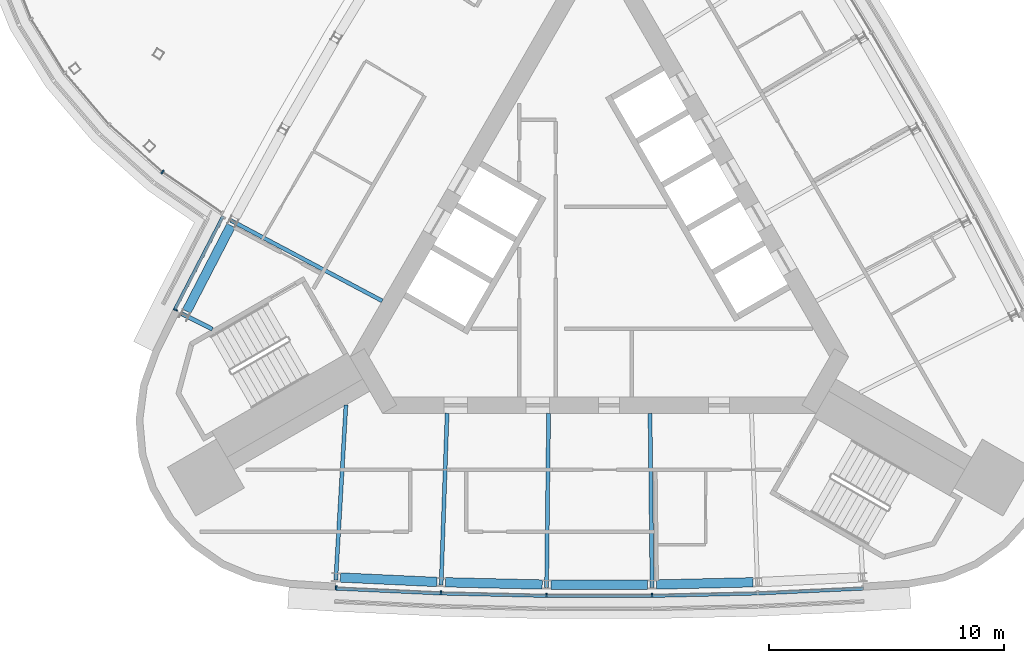
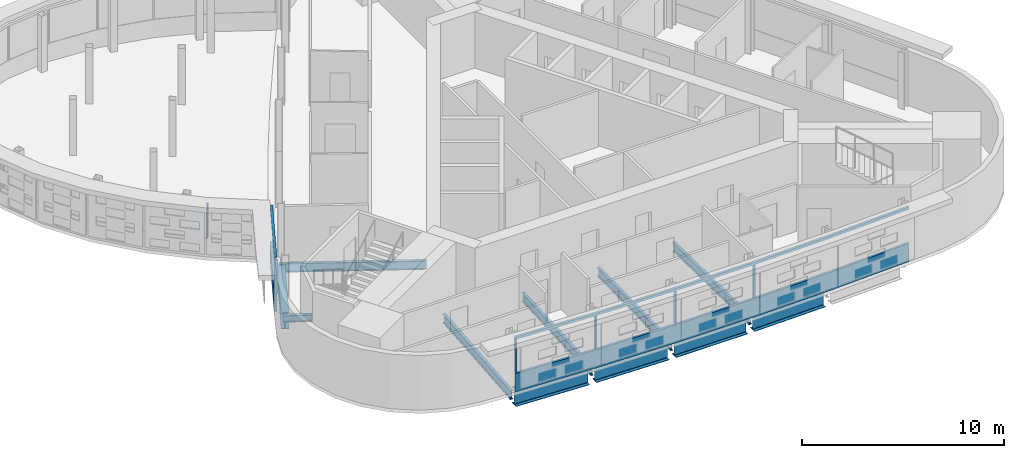
# One storey, part 4 of 13: 11 beams, 10 members, 3 elements without a shape of their own.
"""IFC4 building model written with IfcOpenShell, lengths in metres."""

from ifc_helpers import new_model, si_unit, direction, frame, origin, origin_2d, place, context, subcontext, project, spatial, polyline, rectangle, i_section, outline, extrude, material, material_profile, profile_set, type_object, element, aggregate, save


model = new_model("IFC4")

# Units and contexts
model_context = context("Model", 3, precision=1e-05, world=origin(), true_north=direction((0.0, 1.0)))
body_context = subcontext(model_context, "Body", "Model", "MODEL_VIEW")
ifc_project = project(units=[si_unit("LENGTHUNIT", "METRE"), si_unit("AREAUNIT", "SQUARE_METRE"), si_unit("VOLUMEUNIT", "CUBIC_METRE"), si_unit("PLANEANGLEUNIT", "RADIAN"), si_unit("MASSUNIT", "GRAM", prefix="KILO")], contexts=[model_context])

# Site, building, storey
site_placement = place(None, origin())
site = spatial("IfcSite", under=ifc_project, at=site_placement, CompositionType="ELEMENT")
building_placement = place(site_placement, origin())
building = spatial("IfcBuilding", under=site, at=building_placement, Name="Noor Cloister Tower", CompositionType="ELEMENT")
storey_placement = place(building_placement, frame((0.0, 0.0, 263.39990234375)))
storey = spatial("IfcBuildingStorey", under=building, at=storey_placement, Name="L67", CompositionType="ELEMENT", Elevation=263.39990234375)

# Beams
ifc_material_1 = material(Name="Steel ASTM A992 Gr 50", Category="steel")
ifc_material_profile_1 = material_profile(ifc_material_1, i_section(OverallWidth=0.40087890625, OverallDepth=0.98291015625, WebThickness=0.0166015625, FlangeThickness=0.027099609375, FilletRadius=0.030029296875, at=origin_2d()), Name="W1000x296")
ifc_profile_set_1 = profile_set([ifc_material_profile_1], Name="Steel ASTM A992 Gr 50")
beam_type_1 = type_object("IfcBeamType", Name="Belt chord girder W1000x296", PredefinedType="BEAM", material=ifc_profile_set_1)
beam_1_placement = place(storey_placement, frame((-15.677734375, 1.067138671875, -0.69140625), z_axis=(-0.459295448048, -0.888283564749, 0.0), x_axis=(0.888283564749, -0.459295448048, 0.0)))
element("IfcBeam", 1, at=beam_1_placement, inside=storey, type_object=beam_type_1, Name="Spandrel beam NW 05 L67", PredefinedType="BEAM", context=body_context, shape_type="SweptSolid", body=[
    extrude(i_section(OverallWidth=0.40087890625, OverallDepth=0.98291015625, WebThickness=0.0166015625, FlangeThickness=0.027099609375, FilletRadius=0.030029296875, at=origin_2d()), origin(), (0.0, 0.0, 1.0), 4.116455078125),
])
for number, where, z_axis, x_axis, name in (
    (2, (-11.026611328125, -13.919921875, -0.69140625), (0.998923795857, -0.046381570381, 0.0), (0.046381570381, 0.998923795857, 0.0), "Spandrel beam S 01 L67"),
    (3, (-6.5439453125, -14.123779296875, -0.69140625), (0.999731038099, -0.023191624794, 0.0), (0.023191624794, 0.999731038099, 0.0), "Spandrel beam S 02 L67"),
    (4, (-2.05810546875, -14.2236328125, -0.69140625), (1.0, 0.0, 0.0), (0.0, 1.0, 0.0), "Spandrel beam S 03 L67"),
    (5, (2.428955078125, -14.21923828125, -0.69140625), (0.999731038099, 0.023191624794, 0.0), (-0.023191624794, 0.999731038099, 0.0), "Spandrel beam S 04 L67"),
):
    element("IfcBeam", number, at=place(storey_placement, frame(where, z_axis=z_axis, x_axis=x_axis)), inside=storey, type_object=beam_type_1, Name=name, PredefinedType="BEAM", context=body_context, shape_type="SweptSolid", body=[
        extrude(i_section(OverallWidth=0.40087890625, OverallDepth=0.98291015625, WebThickness=0.0166015625, FlangeThickness=0.027099609375, FilletRadius=0.030029296875, at=origin_2d()), origin(), (0.0, 0.0, 1.0), 4.1162109375),
    ])

# Curtain wall, member
ifc_material_2 = material(Name="Aluminium 6063-T6 anodised", Category="aluminium")
curtain_wall_type_1 = type_object("IfcCurtainWallType", Name="Ribbon curtain wall, upper tower CW5", PredefinedType="NOTDEFINED", material=ifc_material_2)
curtain_wall_1_placement = place(storey_placement, origin())
curtain_wall_1 = element("IfcCurtainWall", 6, at=curtain_wall_1_placement, inside=storey, type_object=curtain_wall_type_1, Name="CW5 L67 NW run 2", PredefinedType="NOTDEFINED")
ifc_material_3 = material(Name="Aluminium 6063-T6 anodised", Category="aluminium")
member_type_1 = type_object("IfcMemberType", Name="Head transom CW5 150", PredefinedType="USERDEFINED", material=ifc_material_3)
member_1_placement = place(storey_placement, frame((0.0, 0.0, 3.150146484375)))
member_1 = element("IfcMember", 7, at=member_1_placement, type_object=member_type_1, Name="CW5 head transom", ObjectType="TRANSOM", PredefinedType="USERDEFINED", context=body_context, shape_type="SweptSolid", body=[
    extrude(outline(polyline([(-16.078125, 1.489990234375), (-18.14501953125, -2.507080078125), (-18.0205078125, -2.5712890625), (-15.953857421875, 1.42578125), (-16.078125, 1.489990234375)])), origin(), (0.0, 0.0, 1.0), 0.14990234375),
])

curtain_wall_2_placement = place(storey_placement, origin())
curtain_wall_2 = element("IfcCurtainWall", 8, at=curtain_wall_2_placement, inside=storey, type_object=curtain_wall_type_1, Name="CW5 L67 S run 3", PredefinedType="NOTDEFINED")
member_2_placement = place(storey_placement, frame((0.0, 0.0, 3.150146484375)))
member_2 = element("IfcMember", 9, at=member_2_placement, type_object=member_type_1, Name="CW5 head transom", ObjectType="TRANSOM", PredefinedType="USERDEFINED", context=body_context, shape_type="SweptSolid", body=[
    extrude(outline(polyline([(-11.24365234375, -14.46044921875), (-6.74853515625, -14.669189453125), (-2.25, -14.7734375), (2.25, -14.7734375), (6.74853515625, -14.669189453125), (11.24365234375, -14.46044921875), (11.2373046875, -14.320556640625), (6.74365234375, -14.529296875), (2.248291015625, -14.633544921875), (-2.248291015625, -14.633544921875), (-6.74365234375, -14.529296875), (-11.2373046875, -14.320556640625), (-11.24365234375, -14.46044921875)])), origin(), (0.0, 0.0, 1.0), 0.14990234375),
])

# Member
ifc_material_4 = material(Name="Aluminium 6063-T6 anodised", Category="aluminium")
ifc_material_profile_2 = material_profile(ifc_material_4, rectangle(XDim=0.179931640625, YDim=0.070068359375, at=origin_2d()), Name="180 x 70 mullion")
ifc_profile_set_2 = profile_set([ifc_material_profile_2], Name="Aluminium 6063-T6 anodised")
member_type_2 = type_object("IfcMemberType", Name="Mullion CW5 70 x 180", PredefinedType="MULLION", material=ifc_profile_set_2)
member_3_placement = place(storey_placement, frame((-18.0400390625, -2.52197265625, 1.10009765625), z_axis=(0.0, 0.0, 1.0), x_axis=(0.888277980529, -0.459306247842, 0.0)))
member_3 = element("IfcMember", 10, at=member_3_placement, type_object=member_type_2, Name="CW5 mullion 2", PredefinedType="MULLION", context=body_context, shape_type="SweptSolid", body=[
    extrude(rectangle(XDim=0.179931640625, YDim=0.070068359375, at=origin_2d()), origin(), (0.0, 0.0, 1.0), 2.050048828125),
])

member_4_placement = place(storey_placement, frame((-11.2041015625, -14.3623046875, 1.10009765625), z_axis=(0.0, 0.0, 1.0), x_axis=(0.046368111516, 0.998924420682, 0.0)))
member_4 = element("IfcMember", 11, at=member_4_placement, type_object=member_type_2, Name="CW5 mullion 1", PredefinedType="MULLION", context=body_context, shape_type="SweptSolid", body=[
    extrude(rectangle(XDim=0.179931640625, YDim=0.070068359375, at=origin_2d()), origin(), (0.0, 0.0, 1.0), 2.050048828125),
])

member_5_placement = place(storey_placement, frame((-6.7451171875, -14.569091796875, 1.10009765625), z_axis=(0.0, 0.0, 1.0), x_axis=(0.034781531747, 0.999394939476, 0.0)))
member_5 = element("IfcMember", 12, at=member_5_placement, type_object=member_type_2, Name="CW5 mullion 2", PredefinedType="MULLION", context=body_context, shape_type="SweptSolid", body=[
    extrude(rectangle(XDim=0.179931640625, YDim=0.070068359375, at=origin_2d()), origin(), (0.0, 0.0, 1.0), 2.050048828125),
])

member_6_placement = place(storey_placement, frame((-2.248779296875, -14.673583984375, 1.10009765625), z_axis=(0.0, 0.0, 1.0), x_axis=(0.011595917099, 0.999932765093, 0.0)))
member_6 = element("IfcMember", 13, at=member_6_placement, type_object=member_type_2, Name="CW5 mullion 3", PredefinedType="MULLION", context=body_context, shape_type="SweptSolid", body=[
    extrude(rectangle(XDim=0.179931640625, YDim=0.070068359375, at=origin_2d()), origin(), (0.0, 0.0, 1.0), 2.050048828125),
])

member_7_placement = place(storey_placement, frame((2.248779296875, -14.673583984375, 1.10009765625), z_axis=(0.0, 0.0, 1.0), x_axis=(-0.011595917099, 0.999932765093, 0.0)))
member_7 = element("IfcMember", 14, at=member_7_placement, type_object=member_type_2, Name="CW5 mullion 4", PredefinedType="MULLION", context=body_context, shape_type="SweptSolid", body=[
    extrude(rectangle(XDim=0.179931640625, YDim=0.070068359375, at=origin_2d()), origin(), (0.0, 0.0, 1.0), 2.050048828125),
])

# Curtain wall, member
ifc_material_5 = material(Name="Aluminium 6063-T6 anodised", Category="aluminium")
curtain_wall_type_2 = type_object("IfcCurtainWallType", Name="Sky bar curtain wall, upper bars CW6", PredefinedType="NOTDEFINED", material=ifc_material_5)
curtain_wall_3_placement = place(storey_placement, origin())
curtain_wall_3 = element("IfcCurtainWall", 15, at=curtain_wall_3_placement, inside=storey, type_object=curtain_wall_type_2, Name="CW6 L67 NW sky bar run 1", PredefinedType="NOTDEFINED")
ifc_material_6 = material(Name="Aluminium 6063-T6 anodised", Category="aluminium")
ifc_material_profile_3 = material_profile(ifc_material_6, rectangle(XDim=0.179931640625, YDim=0.070068359375, at=origin_2d()), Name="180 x 70 mullion")
ifc_profile_set_3 = profile_set([ifc_material_profile_3], Name="Aluminium 6063-T6 anodised")
member_type_3 = type_object("IfcMemberType", Name="Mullion CW6 70 x 180", PredefinedType="MULLION", material=ifc_profile_set_3)
member_8_placement = place(storey_placement, frame((-18.594482421875, 3.339111328125, 1.10009765625), z_axis=(0.0, 0.0, 1.0), x_axis=(0.616644238859, 0.787241946724, 0.0)))
member_8 = element("IfcMember", 16, at=member_8_placement, type_object=member_type_3, Name="CW6 mullion 16", PredefinedType="MULLION", context=body_context, shape_type="SweptSolid", body=[
    extrude(rectangle(XDim=0.179931640625, YDim=0.070068359375, at=origin_2d()), origin(), (0.0, 0.0, 1.0), 2.050048828125),
])
aggregate(curtain_wall_3, [member_8])

# Beams
ifc_material_7 = material(Name="Steel ASTM A992 Gr 50", Category="steel")
ifc_material_profile_4 = material_profile(ifc_material_7, i_section(OverallWidth=0.177978515625, OverallDepth=0.406005859375, WebThickness=0.0078125, FlangeThickness=0.0126953125, FilletRadius=0.01025390625, at=origin_2d()), Name="W410x60")
ifc_profile_set_4 = profile_set([ifc_material_profile_4], Name="Steel ASTM A992 Gr 50")
beam_type_2 = type_object("IfcBeamType", Name="Radial beam W410x60", PredefinedType="BEAM", material=ifc_profile_set_4)
beam_2_placement = place(storey_placement, frame((-17.76025390625, -2.700439453125, -0.40283203125), z_axis=(0.893545786666, -0.448972078344, 0.0), x_axis=(0.448972078344, 0.893545786666, 0.0)))
element("IfcBeam", 17, at=beam_2_placement, inside=storey, type_object=beam_type_2, Name="Radial beam NW 06 L67", PredefinedType="BEAM", context=body_context, shape_type="SweptSolid", body=[
    extrude(i_section(OverallWidth=0.177978515625, OverallDepth=0.406005859375, WebThickness=0.0078125, FlangeThickness=0.0126953125, FilletRadius=0.01025390625, at=origin_2d()), origin(), (0.0, 0.0, 1.0), 1.443115234375),
])
ifc_material_8 = material(Name="Steel ASTM A992 Gr 50", Category="steel")
ifc_material_profile_5 = material_profile(ifc_material_8, i_section(OverallWidth=0.166015625, OverallDepth=0.528076171875, WebThickness=0.009765625, FlangeThickness=0.013671875, FilletRadius=0.0126953125, at=origin_2d()), Name="W530x74")
ifc_profile_set_5 = profile_set([ifc_material_profile_5], Name="Steel ASTM A992 Gr 50")
beam_type_3 = type_object("IfcBeamType", Name="Radial beam W530x74", PredefinedType="BEAM", material=ifc_profile_set_5)
beam_3_placement = place(storey_placement, frame((-15.697998046875, 1.287841796875, -0.4638671875), z_axis=(0.882903889785, -0.469553747085, 0.0), x_axis=(0.469553747085, 0.882903889785, 0.0)))
element("IfcBeam", 18, at=beam_3_placement, inside=storey, type_object=beam_type_3, Name="Radial beam NW 05 L67", PredefinedType="BEAM", context=body_context, shape_type="SweptSolid", body=[
    extrude(i_section(OverallWidth=0.166015625, OverallDepth=0.528076171875, WebThickness=0.009765625, FlangeThickness=0.013671875, FilletRadius=0.0126953125, at=origin_2d()), origin(), (0.0, 0.0, 1.0), 7.31494140625),
])
beam_4_placement = place(storey_placement, frame((-11.21875, -14.03076171875, -0.4638671875), z_axis=(0.057949858057, 0.998319494927, 0.0), x_axis=(-0.998319494927, 0.057949858057, 0.0)))
element("IfcBeam", 19, at=beam_4_placement, inside=storey, type_object=beam_type_3, Name="Radial beam S 01 L67", PredefinedType="BEAM", context=body_context, shape_type="SweptSolid", body=[
    extrude(i_section(OverallWidth=0.166015625, OverallDepth=0.528076171875, WebThickness=0.009765625, FlangeThickness=0.013671875, FilletRadius=0.0126953125, at=origin_2d()), origin(), (0.0, 0.0, 1.0), 7.469482421875),
])
beam_5_placement = place(storey_placement, frame((-6.733642578125, -14.23876953125, -0.4638671875), z_axis=(0.034777240267, 0.999395088821, 0.0), x_axis=(-0.999395088821, 0.034777240267, 0.0)))
element("IfcBeam", 20, at=beam_5_placement, inside=storey, type_object=beam_type_3, Name="Radial beam S 02 L67", PredefinedType="BEAM", context=body_context, shape_type="SweptSolid", body=[
    extrude(i_section(OverallWidth=0.166015625, OverallDepth=0.528076171875, WebThickness=0.009765625, FlangeThickness=0.013671875, FilletRadius=0.0126953125, at=origin_2d()), origin(), (0.0, 0.0, 1.0), 7.31494140625),
])
for number, where, z_axis, x_axis, name in (
    (21, (-2.244873046875, -14.343017578125, -0.4638671875), (0.011589225268, 0.999932842674, 0.0), (-0.999932842674, 0.011589225268, 0.0), "Radial beam S 03 L67"),
    (22, (2.244873046875, -14.343017578125, -0.4638671875), (-0.011589225268, 0.999932842674, 0.0), (-0.999932842674, -0.011589225268, 0.0), "Radial beam S 04 L67"),
):
    element("IfcBeam", number, at=place(storey_placement, frame(where, z_axis=z_axis, x_axis=x_axis)), inside=storey, type_object=beam_type_3, Name=name, PredefinedType="BEAM", context=body_context, shape_type="SweptSolid", body=[
        extrude(i_section(OverallWidth=0.166015625, OverallDepth=0.528076171875, WebThickness=0.009765625, FlangeThickness=0.013671875, FilletRadius=0.0126953125, at=origin_2d()), origin(), (0.0, 0.0, 1.0), 7.415283203125),
    ])

# Member
ifc_material_9 = material(Name="Aluminium 6063-T6 anodised", Category="aluminium")
member_type_4 = type_object("IfcMemberType", Name="Sill transom CW5 1100", PredefinedType="USERDEFINED", material=ifc_material_9)
member_9_placement = place(storey_placement, origin())
member_9 = element("IfcMember", 23, at=member_9_placement, type_object=member_type_4, Name="CW5 sill transom", ObjectType="TRANSOM", PredefinedType="USERDEFINED", context=body_context, shape_type="SweptSolid", body=[
    extrude(outline(polyline([(-16.078125, 1.489990234375), (-18.14501953125, -2.507080078125), (-18.0205078125, -2.5712890625), (-15.953857421875, 1.42578125), (-16.078125, 1.489990234375)])), origin(), (0.0, 0.0, 1.0), 1.10009765625),
])

aggregate(curtain_wall_1, [member_3, member_9, member_1])

member_10_placement = place(storey_placement, origin())
member_10 = element("IfcMember", 24, at=member_10_placement, type_object=member_type_4, Name="CW5 sill transom", ObjectType="TRANSOM", PredefinedType="USERDEFINED", context=body_context, shape_type="SweptSolid", body=[
    extrude(outline(polyline([(-11.24365234375, -14.46044921875), (-6.74853515625, -14.669189453125), (-2.25, -14.7734375), (2.25, -14.7734375), (6.74853515625, -14.669189453125), (11.24365234375, -14.46044921875), (11.2373046875, -14.320556640625), (6.74365234375, -14.529296875), (2.248291015625, -14.633544921875), (-2.248291015625, -14.633544921875), (-6.74365234375, -14.529296875), (-11.2373046875, -14.320556640625), (-11.24365234375, -14.46044921875)])), origin(), (0.0, 0.0, 1.0), 1.10009765625),
])

aggregate(curtain_wall_2, [member_4, member_5, member_6, member_7, member_10, member_2])

save(model, "model.ifc")
